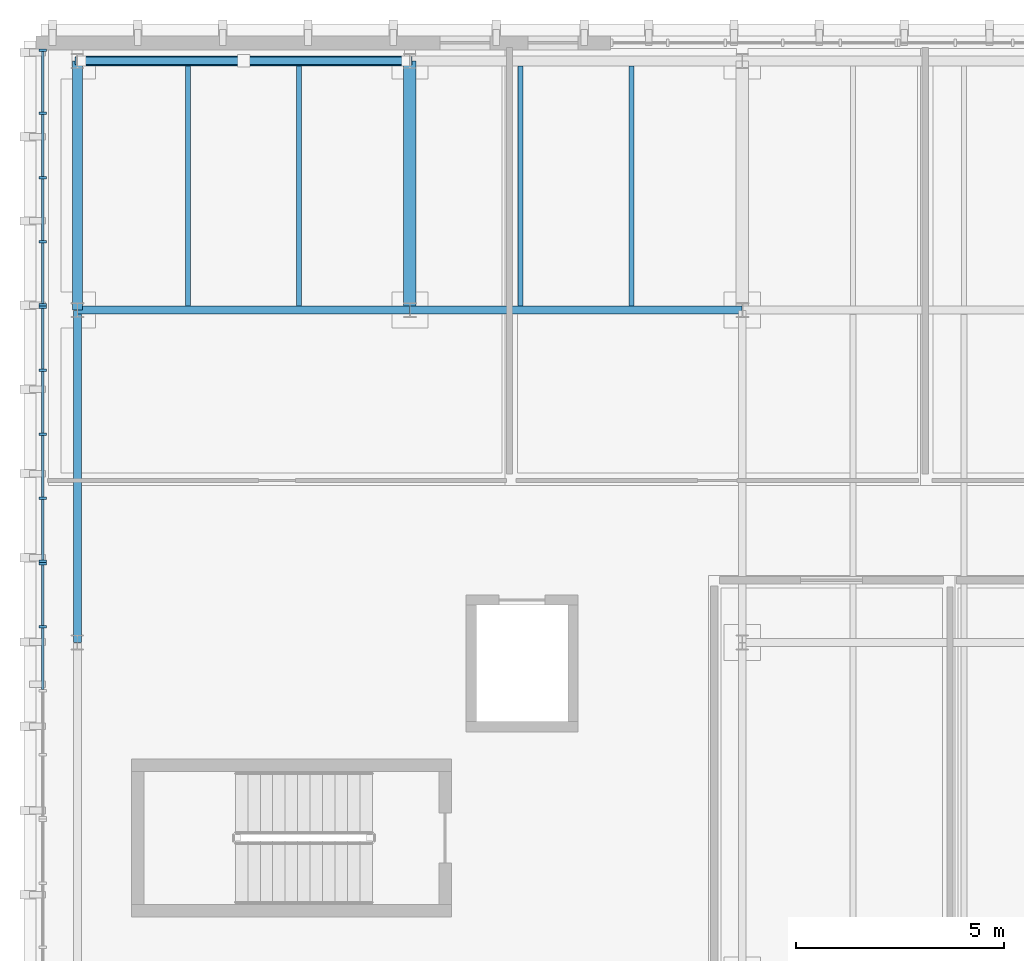
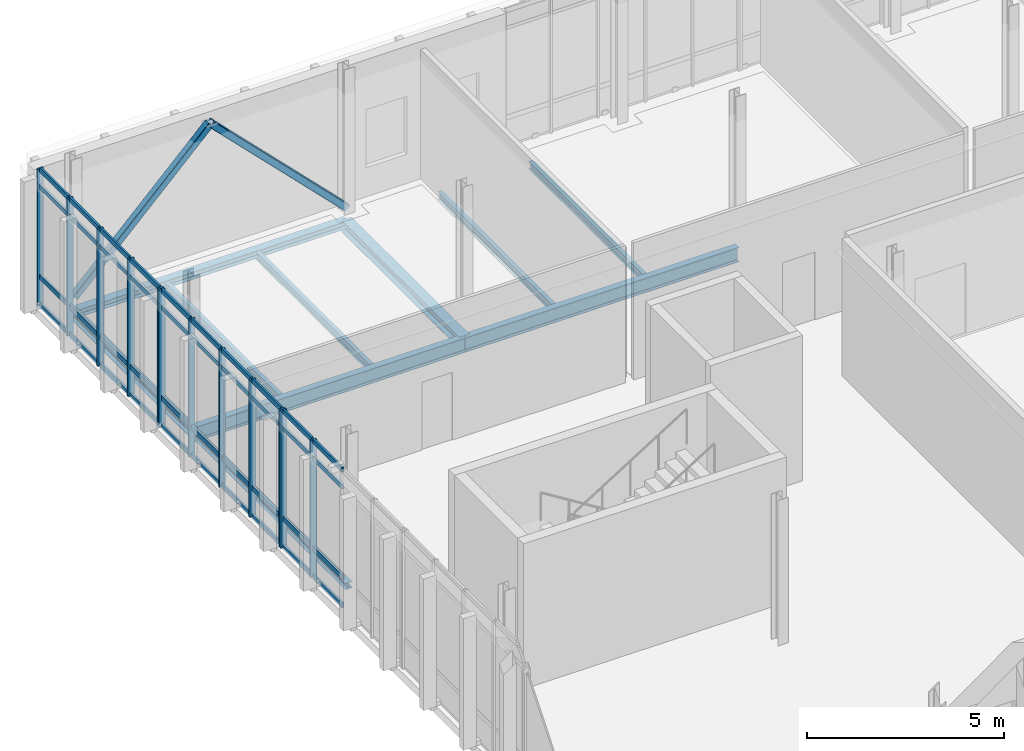
# One storey, part 40 of 100: 54 members, 10 beams, 3 elements without a shape of their own.
"""IFC4 building model written with IfcOpenShell, lengths in metres."""

from ifc_helpers import new_model, si_unit, direction, frame, origin, origin_2d, place, context, subcontext, project, spatial, rectangle, hollow_rectangle, i_section, extrude, material, material_profile, profile_set, type_object, element, aggregate, save


model = new_model("IFC4")

# Units and contexts
model_context = context("Model", 3, precision=1e-05, world=origin(), true_north=direction((0.0, 1.0)))
body_context = subcontext(model_context, "Body", "Model", "MODEL_VIEW")
ifc_project = project(units=[si_unit("LENGTHUNIT", "METRE"), si_unit("AREAUNIT", "SQUARE_METRE"), si_unit("VOLUMEUNIT", "CUBIC_METRE"), si_unit("PLANEANGLEUNIT", "RADIAN"), si_unit("MASSUNIT", "GRAM", prefix="KILO")], contexts=[model_context])

# Site, building, storey
site_placement = place(None, origin())
site = spatial("IfcSite", under=ifc_project, at=site_placement, CompositionType="ELEMENT")
building_placement = place(site_placement, origin())
building = spatial("IfcBuilding", under=site, at=building_placement, Name="Cymarion Research Institute", CompositionType="ELEMENT")
storey_placement = place(building_placement, frame((0.0, 0.0, 9.300048828125)))
storey = spatial("IfcBuildingStorey", under=building, at=storey_placement, Name="L02", CompositionType="ELEMENT", Elevation=9.300048828125)

# Curtain wall, members
ifc_material_1 = material(Name="Anodised aluminium unitised curtain wall with Low-E glazing", Category="aluminium")
curtain_wall_type = type_object("IfcCurtainWallType", Name="UNITISED CURTAIN WALL CW22 6180X4250", PredefinedType="NOTDEFINED", material=ifc_material_1)
curtain_wall_1_placement = place(storey_placement, origin())
curtain_wall_1 = element("IfcCurtainWall", 1, at=curtain_wall_1_placement, inside=storey, type_object=curtain_wall_type, Name="L02 V5 unitised curtain wall CW22 #110", PredefinedType="NOTDEFINED")
ifc_material_2 = material(Name="Anodised aluminium framing", Category="aluminium")
ifc_material_profile_1 = material_profile(ifc_material_2, rectangle(XDim=0.06005859375, YDim=0.179931640625, at=origin_2d()), Name="ALU MULLION 60x180")
ifc_profile_set_1 = profile_set([ifc_material_profile_1], Name="Anodised aluminium framing")
member_type_1 = type_object("IfcMemberType", Name="CURTAIN WALL MULLION ML01 60X180", PredefinedType="MULLION", material=ifc_profile_set_1)
member_1_placement = place(storey_placement, frame((5.77001953125, 115.748046875, 0.0), z_axis=(0.0, 0.0, 1.0), x_axis=(0.0, -1.0, 0.0)))
member_1 = element("IfcMember", 2, at=member_1_placement, type_object=member_type_1, Name="CW22 mullion 1", PredefinedType="MULLION", context=body_context, shape_type="SweptSolid", body=[
    extrude(rectangle(XDim=0.06005859375, YDim=0.179931640625, at=origin_2d()), origin(), (0.0, 0.0, 1.0), 4.25),
])
member_2_placement = place(storey_placement, frame((5.77001953125, 114.234130859375, 0.0), z_axis=(0.0, 0.0, 1.0), x_axis=(0.0, -1.0, 0.0)))
member_2 = element("IfcMember", 3, at=member_2_placement, type_object=member_type_1, Name="CW22 mullion 2", PredefinedType="MULLION", context=body_context, shape_type="SweptSolid", body=[
    extrude(rectangle(XDim=0.06005859375, YDim=0.179931640625, at=origin_2d()), origin(), (0.0, 0.0, 1.0), 4.25),
])
member_3_placement = place(storey_placement, frame((5.77001953125, 112.690185546875, 0.0), z_axis=(0.0, 0.0, 1.0), x_axis=(0.0, -1.0, 0.0)))
member_3 = element("IfcMember", 4, at=member_3_placement, type_object=member_type_1, Name="CW22 mullion 3", PredefinedType="MULLION", context=body_context, shape_type="SweptSolid", body=[
    extrude(rectangle(XDim=0.06005859375, YDim=0.179931640625, at=origin_2d()), origin(), (0.0, 0.0, 1.0), 4.25),
])
member_4_placement = place(storey_placement, frame((5.77001953125, 111.146240234375, 0.0), z_axis=(0.0, 0.0, 1.0), x_axis=(0.0, -1.0, 0.0)))
member_4 = element("IfcMember", 5, at=member_4_placement, type_object=member_type_1, Name="CW22 mullion 4", PredefinedType="MULLION", context=body_context, shape_type="SweptSolid", body=[
    extrude(rectangle(XDim=0.06005859375, YDim=0.179931640625, at=origin_2d()), origin(), (0.0, 0.0, 1.0), 4.25),
])
member_5_placement = place(storey_placement, frame((5.77001953125, 109.63232421875, 0.0), z_axis=(0.0, 0.0, 1.0), x_axis=(0.0, -1.0, 0.0)))
member_5 = element("IfcMember", 6, at=member_5_placement, type_object=member_type_1, Name="CW22 mullion 5", PredefinedType="MULLION", context=body_context, shape_type="SweptSolid", body=[
    extrude(rectangle(XDim=0.06005859375, YDim=0.179931640625, at=origin_2d()), origin(), (0.0, 0.0, 1.0), 4.25),
])

curtain_wall_2_placement = place(storey_placement, origin())
curtain_wall_2 = element("IfcCurtainWall", 7, at=curtain_wall_2_placement, inside=storey, type_object=curtain_wall_type, Name="L02 V5 unitised curtain wall CW22 #111", PredefinedType="NOTDEFINED")
member_6_placement = place(storey_placement, frame((5.77001953125, 109.572509765625, 0.0), z_axis=(0.0, 0.0, 1.0), x_axis=(0.0, -1.0, 0.0)))
member_6 = element("IfcMember", 8, at=member_6_placement, type_object=member_type_1, Name="CW22 mullion 1", PredefinedType="MULLION", context=body_context, shape_type="SweptSolid", body=[
    extrude(rectangle(XDim=0.06005859375, YDim=0.179931640625, at=origin_2d()), origin(), (0.0, 0.0, 1.0), 4.25),
])
member_7_placement = place(storey_placement, frame((5.77001953125, 108.05859375, 0.0), z_axis=(0.0, 0.0, 1.0), x_axis=(0.0, -1.0, 0.0)))
member_7 = element("IfcMember", 9, at=member_7_placement, type_object=member_type_1, Name="CW22 mullion 2", PredefinedType="MULLION", context=body_context, shape_type="SweptSolid", body=[
    extrude(rectangle(XDim=0.06005859375, YDim=0.179931640625, at=origin_2d()), origin(), (0.0, 0.0, 1.0), 4.25),
])
member_8_placement = place(storey_placement, frame((5.77001953125, 106.5146484375, 0.0), z_axis=(0.0, 0.0, 1.0), x_axis=(0.0, -1.0, 0.0)))
member_8 = element("IfcMember", 10, at=member_8_placement, type_object=member_type_1, Name="CW22 mullion 3", PredefinedType="MULLION", context=body_context, shape_type="SweptSolid", body=[
    extrude(rectangle(XDim=0.06005859375, YDim=0.179931640625, at=origin_2d()), origin(), (0.0, 0.0, 1.0), 4.25),
])
member_9_placement = place(storey_placement, frame((5.77001953125, 104.970703125, 0.0), z_axis=(0.0, 0.0, 1.0), x_axis=(0.0, -1.0, 0.0)))
member_9 = element("IfcMember", 11, at=member_9_placement, type_object=member_type_1, Name="CW22 mullion 4", PredefinedType="MULLION", context=body_context, shape_type="SweptSolid", body=[
    extrude(rectangle(XDim=0.06005859375, YDim=0.179931640625, at=origin_2d()), origin(), (0.0, 0.0, 1.0), 4.25),
])
member_10_placement = place(storey_placement, frame((5.77001953125, 103.456787109375, 0.0), z_axis=(0.0, 0.0, 1.0), x_axis=(0.0, -1.0, 0.0)))
member_10 = element("IfcMember", 12, at=member_10_placement, type_object=member_type_1, Name="CW22 mullion 5", PredefinedType="MULLION", context=body_context, shape_type="SweptSolid", body=[
    extrude(rectangle(XDim=0.06005859375, YDim=0.179931640625, at=origin_2d()), origin(), (0.0, 0.0, 1.0), 4.25),
])

curtain_wall_3_placement = place(storey_placement, origin())
curtain_wall_3 = element("IfcCurtainWall", 13, at=curtain_wall_3_placement, inside=storey, type_object=curtain_wall_type, Name="L02 V5 unitised curtain wall CW22 #112", PredefinedType="NOTDEFINED")
member_11_placement = place(storey_placement, frame((5.77001953125, 103.396728515625, 0.0), z_axis=(0.0, 0.0, 1.0), x_axis=(0.0, -1.0, 0.0)))
member_11 = element("IfcMember", 14, at=member_11_placement, type_object=member_type_1, Name="CW22 mullion 1", PredefinedType="MULLION", context=body_context, shape_type="SweptSolid", body=[
    extrude(rectangle(XDim=0.06005859375, YDim=0.179931640625, at=origin_2d()), origin(), (0.0, 0.0, 1.0), 4.25),
])
member_12_placement = place(storey_placement, frame((5.77001953125, 101.8828125, 0.0), z_axis=(0.0, 0.0, 1.0), x_axis=(0.0, -1.0, 0.0)))
member_12 = element("IfcMember", 15, at=member_12_placement, type_object=member_type_1, Name="CW22 mullion 2", PredefinedType="MULLION", context=body_context, shape_type="SweptSolid", body=[
    extrude(rectangle(XDim=0.06005859375, YDim=0.179931640625, at=origin_2d()), origin(), (0.0, 0.0, 1.0), 4.25),
])

# Member
ifc_material_profile_2 = material_profile(ifc_material_2, rectangle(XDim=0.06005859375, YDim=0.14990234375, at=origin_2d()), Name="ALU TRANSOM 60x150")
ifc_profile_set_2 = profile_set([ifc_material_profile_2], Name="Anodised aluminium framing")
member_type_2 = type_object("IfcMemberType", Name="CURTAIN WALL TRANSOM TR01 60X150", PredefinedType="USERDEFINED", material=ifc_profile_set_2)
member_13_placement = place(storey_placement, frame((5.77001953125, 115.718017578125, 0.030029296875), z_axis=(0.0, -1.0, 0.0), x_axis=(1.0, 0.0, 0.0)))
member_13 = element("IfcMember", 16, at=member_13_placement, type_object=member_type_2, Name="CW22 transom 1.1", ObjectType="TRANSOM", PredefinedType="USERDEFINED", context=body_context, shape_type="SweptSolid", body=[
    extrude(rectangle(XDim=0.06005859375, YDim=0.14990234375, at=origin_2d()), origin(), (0.0, 0.0, 1.0), 1.453857421875),
])

member_14_placement = place(storey_placement, frame((5.77001953125, 115.718017578125, 0.89990234375), z_axis=(0.0, -1.0, 0.0), x_axis=(1.0, 0.0, 0.0)))
member_14 = element("IfcMember", 17, at=member_14_placement, type_object=member_type_2, Name="CW22 transom 1.2", ObjectType="TRANSOM", PredefinedType="USERDEFINED", context=body_context, shape_type="SweptSolid", body=[
    extrude(rectangle(XDim=0.06005859375, YDim=0.14990234375, at=origin_2d()), origin(), (0.0, 0.0, 1.0), 1.453857421875),
])

member_15_placement = place(storey_placement, frame((5.77001953125, 115.718017578125, 3.699951171875), z_axis=(0.0, -1.0, 0.0), x_axis=(1.0, 0.0, 0.0)))
member_15 = element("IfcMember", 18, at=member_15_placement, type_object=member_type_2, Name="CW22 transom 1.3", ObjectType="TRANSOM", PredefinedType="USERDEFINED", context=body_context, shape_type="SweptSolid", body=[
    extrude(rectangle(XDim=0.06005859375, YDim=0.14990234375, at=origin_2d()), origin(), (0.0, 0.0, 1.0), 1.453857421875),
])

member_16_placement = place(storey_placement, frame((5.77001953125, 115.718017578125, 4.219970703125), z_axis=(0.0, -1.0, 0.0), x_axis=(1.0, 0.0, 0.0)))
member_16 = element("IfcMember", 19, at=member_16_placement, type_object=member_type_2, Name="CW22 transom 1.4", ObjectType="TRANSOM", PredefinedType="USERDEFINED", context=body_context, shape_type="SweptSolid", body=[
    extrude(rectangle(XDim=0.06005859375, YDim=0.14990234375, at=origin_2d()), origin(), (0.0, 0.0, 1.0), 1.453857421875),
])

member_17_placement = place(storey_placement, frame((5.77001953125, 114.2041015625, 0.030029296875), z_axis=(0.0, -1.0, 0.0), x_axis=(1.0, 0.0, 0.0)))
member_17 = element("IfcMember", 20, at=member_17_placement, type_object=member_type_2, Name="CW22 transom 2.1", ObjectType="TRANSOM", PredefinedType="USERDEFINED", context=body_context, shape_type="SweptSolid", body=[
    extrude(rectangle(XDim=0.06005859375, YDim=0.14990234375, at=origin_2d()), origin(), (0.0, 0.0, 1.0), 1.48388671875),
])

member_18_placement = place(storey_placement, frame((5.77001953125, 114.2041015625, 0.89990234375), z_axis=(0.0, -1.0, 0.0), x_axis=(1.0, 0.0, 0.0)))
member_18 = element("IfcMember", 21, at=member_18_placement, type_object=member_type_2, Name="CW22 transom 2.2", ObjectType="TRANSOM", PredefinedType="USERDEFINED", context=body_context, shape_type="SweptSolid", body=[
    extrude(rectangle(XDim=0.06005859375, YDim=0.14990234375, at=origin_2d()), origin(), (0.0, 0.0, 1.0), 1.48388671875),
])

member_19_placement = place(storey_placement, frame((5.77001953125, 114.2041015625, 3.699951171875), z_axis=(0.0, -1.0, 0.0), x_axis=(1.0, 0.0, 0.0)))
member_19 = element("IfcMember", 22, at=member_19_placement, type_object=member_type_2, Name="CW22 transom 2.3", ObjectType="TRANSOM", PredefinedType="USERDEFINED", context=body_context, shape_type="SweptSolid", body=[
    extrude(rectangle(XDim=0.06005859375, YDim=0.14990234375, at=origin_2d()), origin(), (0.0, 0.0, 1.0), 1.48388671875),
])

member_20_placement = place(storey_placement, frame((5.77001953125, 114.2041015625, 4.219970703125), z_axis=(0.0, -1.0, 0.0), x_axis=(1.0, 0.0, 0.0)))
member_20 = element("IfcMember", 23, at=member_20_placement, type_object=member_type_2, Name="CW22 transom 2.4", ObjectType="TRANSOM", PredefinedType="USERDEFINED", context=body_context, shape_type="SweptSolid", body=[
    extrude(rectangle(XDim=0.06005859375, YDim=0.14990234375, at=origin_2d()), origin(), (0.0, 0.0, 1.0), 1.48388671875),
])

member_21_placement = place(storey_placement, frame((5.77001953125, 112.66015625, 0.030029296875), z_axis=(0.0, -1.0, 0.0), x_axis=(1.0, 0.0, 0.0)))
member_21 = element("IfcMember", 24, at=member_21_placement, type_object=member_type_2, Name="CW22 transom 3.1", ObjectType="TRANSOM", PredefinedType="USERDEFINED", context=body_context, shape_type="SweptSolid", body=[
    extrude(rectangle(XDim=0.06005859375, YDim=0.14990234375, at=origin_2d()), origin(), (0.0, 0.0, 1.0), 1.48388671875),
])

member_22_placement = place(storey_placement, frame((5.77001953125, 112.66015625, 0.89990234375), z_axis=(0.0, -1.0, 0.0), x_axis=(1.0, 0.0, 0.0)))
member_22 = element("IfcMember", 25, at=member_22_placement, type_object=member_type_2, Name="CW22 transom 3.2", ObjectType="TRANSOM", PredefinedType="USERDEFINED", context=body_context, shape_type="SweptSolid", body=[
    extrude(rectangle(XDim=0.06005859375, YDim=0.14990234375, at=origin_2d()), origin(), (0.0, 0.0, 1.0), 1.48388671875),
])

member_23_placement = place(storey_placement, frame((5.77001953125, 112.66015625, 3.699951171875), z_axis=(0.0, -1.0, 0.0), x_axis=(1.0, 0.0, 0.0)))
member_23 = element("IfcMember", 26, at=member_23_placement, type_object=member_type_2, Name="CW22 transom 3.3", ObjectType="TRANSOM", PredefinedType="USERDEFINED", context=body_context, shape_type="SweptSolid", body=[
    extrude(rectangle(XDim=0.06005859375, YDim=0.14990234375, at=origin_2d()), origin(), (0.0, 0.0, 1.0), 1.48388671875),
])

member_24_placement = place(storey_placement, frame((5.77001953125, 112.66015625, 4.219970703125), z_axis=(0.0, -1.0, 0.0), x_axis=(1.0, 0.0, 0.0)))
member_24 = element("IfcMember", 27, at=member_24_placement, type_object=member_type_2, Name="CW22 transom 3.4", ObjectType="TRANSOM", PredefinedType="USERDEFINED", context=body_context, shape_type="SweptSolid", body=[
    extrude(rectangle(XDim=0.06005859375, YDim=0.14990234375, at=origin_2d()), origin(), (0.0, 0.0, 1.0), 1.48388671875),
])

member_25_placement = place(storey_placement, frame((5.77001953125, 111.1162109375, 0.030029296875), z_axis=(0.0, -1.0, 0.0), x_axis=(1.0, 0.0, 0.0)))
member_25 = element("IfcMember", 28, at=member_25_placement, type_object=member_type_2, Name="CW22 transom 4.1", ObjectType="TRANSOM", PredefinedType="USERDEFINED", context=body_context, shape_type="SweptSolid", body=[
    extrude(rectangle(XDim=0.06005859375, YDim=0.14990234375, at=origin_2d()), origin(), (0.0, 0.0, 1.0), 1.453857421875),
])

member_26_placement = place(storey_placement, frame((5.77001953125, 111.1162109375, 0.89990234375), z_axis=(0.0, -1.0, 0.0), x_axis=(1.0, 0.0, 0.0)))
member_26 = element("IfcMember", 29, at=member_26_placement, type_object=member_type_2, Name="CW22 transom 4.2", ObjectType="TRANSOM", PredefinedType="USERDEFINED", context=body_context, shape_type="SweptSolid", body=[
    extrude(rectangle(XDim=0.06005859375, YDim=0.14990234375, at=origin_2d()), origin(), (0.0, 0.0, 1.0), 1.453857421875),
])

member_27_placement = place(storey_placement, frame((5.77001953125, 111.1162109375, 3.699951171875), z_axis=(0.0, -1.0, 0.0), x_axis=(1.0, 0.0, 0.0)))
member_27 = element("IfcMember", 30, at=member_27_placement, type_object=member_type_2, Name="CW22 transom 4.3", ObjectType="TRANSOM", PredefinedType="USERDEFINED", context=body_context, shape_type="SweptSolid", body=[
    extrude(rectangle(XDim=0.06005859375, YDim=0.14990234375, at=origin_2d()), origin(), (0.0, 0.0, 1.0), 1.453857421875),
])

member_28_placement = place(storey_placement, frame((5.77001953125, 111.1162109375, 4.219970703125), z_axis=(0.0, -1.0, 0.0), x_axis=(1.0, 0.0, 0.0)))
member_28 = element("IfcMember", 31, at=member_28_placement, type_object=member_type_2, Name="CW22 transom 4.4", ObjectType="TRANSOM", PredefinedType="USERDEFINED", context=body_context, shape_type="SweptSolid", body=[
    extrude(rectangle(XDim=0.06005859375, YDim=0.14990234375, at=origin_2d()), origin(), (0.0, 0.0, 1.0), 1.453857421875),
])

aggregate(curtain_wall_1, [member_1, member_2, member_3, member_4, member_5, member_13, member_14, member_15, member_16, member_17, member_18, member_19, member_20, member_21, member_22, member_23, member_24, member_25, member_26, member_27, member_28])

member_29_placement = place(storey_placement, frame((5.77001953125, 109.54248046875, 0.030029296875), z_axis=(0.0, -1.0, 0.0), x_axis=(1.0, 0.0, 0.0)))
member_29 = element("IfcMember", 32, at=member_29_placement, type_object=member_type_2, Name="CW22 transom 1.1", ObjectType="TRANSOM", PredefinedType="USERDEFINED", context=body_context, shape_type="SweptSolid", body=[
    extrude(rectangle(XDim=0.06005859375, YDim=0.14990234375, at=origin_2d()), origin(), (0.0, 0.0, 1.0), 1.4541015625),
])

member_30_placement = place(storey_placement, frame((5.77001953125, 109.54248046875, 0.89990234375), z_axis=(0.0, -1.0, 0.0), x_axis=(1.0, 0.0, 0.0)))
member_30 = element("IfcMember", 33, at=member_30_placement, type_object=member_type_2, Name="CW22 transom 1.2", ObjectType="TRANSOM", PredefinedType="USERDEFINED", context=body_context, shape_type="SweptSolid", body=[
    extrude(rectangle(XDim=0.06005859375, YDim=0.14990234375, at=origin_2d()), origin(), (0.0, 0.0, 1.0), 1.4541015625),
])

member_31_placement = place(storey_placement, frame((5.77001953125, 109.54248046875, 3.699951171875), z_axis=(0.0, -1.0, 0.0), x_axis=(1.0, 0.0, 0.0)))
member_31 = element("IfcMember", 34, at=member_31_placement, type_object=member_type_2, Name="CW22 transom 1.3", ObjectType="TRANSOM", PredefinedType="USERDEFINED", context=body_context, shape_type="SweptSolid", body=[
    extrude(rectangle(XDim=0.06005859375, YDim=0.14990234375, at=origin_2d()), origin(), (0.0, 0.0, 1.0), 1.4541015625),
])

member_32_placement = place(storey_placement, frame((5.77001953125, 109.54248046875, 4.219970703125), z_axis=(0.0, -1.0, 0.0), x_axis=(1.0, 0.0, 0.0)))
member_32 = element("IfcMember", 35, at=member_32_placement, type_object=member_type_2, Name="CW22 transom 1.4", ObjectType="TRANSOM", PredefinedType="USERDEFINED", context=body_context, shape_type="SweptSolid", body=[
    extrude(rectangle(XDim=0.06005859375, YDim=0.14990234375, at=origin_2d()), origin(), (0.0, 0.0, 1.0), 1.4541015625),
])

member_33_placement = place(storey_placement, frame((5.77001953125, 108.028564453125, 0.030029296875), z_axis=(0.0, -1.0, 0.0), x_axis=(1.0, 0.0, 0.0)))
member_33 = element("IfcMember", 36, at=member_33_placement, type_object=member_type_2, Name="CW22 transom 2.1", ObjectType="TRANSOM", PredefinedType="USERDEFINED", context=body_context, shape_type="SweptSolid", body=[
    extrude(rectangle(XDim=0.06005859375, YDim=0.14990234375, at=origin_2d()), origin(), (0.0, 0.0, 1.0), 1.48388671875),
])

member_34_placement = place(storey_placement, frame((5.77001953125, 108.028564453125, 0.89990234375), z_axis=(0.0, -1.0, 0.0), x_axis=(1.0, 0.0, 0.0)))
member_34 = element("IfcMember", 37, at=member_34_placement, type_object=member_type_2, Name="CW22 transom 2.2", ObjectType="TRANSOM", PredefinedType="USERDEFINED", context=body_context, shape_type="SweptSolid", body=[
    extrude(rectangle(XDim=0.06005859375, YDim=0.14990234375, at=origin_2d()), origin(), (0.0, 0.0, 1.0), 1.48388671875),
])

member_35_placement = place(storey_placement, frame((5.77001953125, 108.028564453125, 3.699951171875), z_axis=(0.0, -1.0, 0.0), x_axis=(1.0, 0.0, 0.0)))
member_35 = element("IfcMember", 38, at=member_35_placement, type_object=member_type_2, Name="CW22 transom 2.3", ObjectType="TRANSOM", PredefinedType="USERDEFINED", context=body_context, shape_type="SweptSolid", body=[
    extrude(rectangle(XDim=0.06005859375, YDim=0.14990234375, at=origin_2d()), origin(), (0.0, 0.0, 1.0), 1.48388671875),
])

member_36_placement = place(storey_placement, frame((5.77001953125, 108.028564453125, 4.219970703125), z_axis=(0.0, -1.0, 0.0), x_axis=(1.0, 0.0, 0.0)))
member_36 = element("IfcMember", 39, at=member_36_placement, type_object=member_type_2, Name="CW22 transom 2.4", ObjectType="TRANSOM", PredefinedType="USERDEFINED", context=body_context, shape_type="SweptSolid", body=[
    extrude(rectangle(XDim=0.06005859375, YDim=0.14990234375, at=origin_2d()), origin(), (0.0, 0.0, 1.0), 1.48388671875),
])

member_37_placement = place(storey_placement, frame((5.77001953125, 106.484619140625, 0.030029296875), z_axis=(0.0, -1.0, 0.0), x_axis=(1.0, 0.0, 0.0)))
member_37 = element("IfcMember", 40, at=member_37_placement, type_object=member_type_2, Name="CW22 transom 3.1", ObjectType="TRANSOM", PredefinedType="USERDEFINED", context=body_context, shape_type="SweptSolid", body=[
    extrude(rectangle(XDim=0.06005859375, YDim=0.14990234375, at=origin_2d()), origin(), (0.0, 0.0, 1.0), 1.48388671875),
])

member_38_placement = place(storey_placement, frame((5.77001953125, 106.484619140625, 0.89990234375), z_axis=(0.0, -1.0, 0.0), x_axis=(1.0, 0.0, 0.0)))
member_38 = element("IfcMember", 41, at=member_38_placement, type_object=member_type_2, Name="CW22 transom 3.2", ObjectType="TRANSOM", PredefinedType="USERDEFINED", context=body_context, shape_type="SweptSolid", body=[
    extrude(rectangle(XDim=0.06005859375, YDim=0.14990234375, at=origin_2d()), origin(), (0.0, 0.0, 1.0), 1.48388671875),
])

member_39_placement = place(storey_placement, frame((5.77001953125, 106.484619140625, 3.699951171875), z_axis=(0.0, -1.0, 0.0), x_axis=(1.0, 0.0, 0.0)))
member_39 = element("IfcMember", 42, at=member_39_placement, type_object=member_type_2, Name="CW22 transom 3.3", ObjectType="TRANSOM", PredefinedType="USERDEFINED", context=body_context, shape_type="SweptSolid", body=[
    extrude(rectangle(XDim=0.06005859375, YDim=0.14990234375, at=origin_2d()), origin(), (0.0, 0.0, 1.0), 1.48388671875),
])

member_40_placement = place(storey_placement, frame((5.77001953125, 106.484619140625, 4.219970703125), z_axis=(0.0, -1.0, 0.0), x_axis=(1.0, 0.0, 0.0)))
member_40 = element("IfcMember", 43, at=member_40_placement, type_object=member_type_2, Name="CW22 transom 3.4", ObjectType="TRANSOM", PredefinedType="USERDEFINED", context=body_context, shape_type="SweptSolid", body=[
    extrude(rectangle(XDim=0.06005859375, YDim=0.14990234375, at=origin_2d()), origin(), (0.0, 0.0, 1.0), 1.48388671875),
])

member_41_placement = place(storey_placement, frame((5.77001953125, 104.940673828125, 0.030029296875), z_axis=(0.0, -1.0, 0.0), x_axis=(1.0, 0.0, 0.0)))
member_41 = element("IfcMember", 44, at=member_41_placement, type_object=member_type_2, Name="CW22 transom 4.1", ObjectType="TRANSOM", PredefinedType="USERDEFINED", context=body_context, shape_type="SweptSolid", body=[
    extrude(rectangle(XDim=0.06005859375, YDim=0.14990234375, at=origin_2d()), origin(), (0.0, 0.0, 1.0), 1.453857421875),
])

member_42_placement = place(storey_placement, frame((5.77001953125, 104.940673828125, 0.89990234375), z_axis=(0.0, -1.0, 0.0), x_axis=(1.0, 0.0, 0.0)))
member_42 = element("IfcMember", 45, at=member_42_placement, type_object=member_type_2, Name="CW22 transom 4.2", ObjectType="TRANSOM", PredefinedType="USERDEFINED", context=body_context, shape_type="SweptSolid", body=[
    extrude(rectangle(XDim=0.06005859375, YDim=0.14990234375, at=origin_2d()), origin(), (0.0, 0.0, 1.0), 1.453857421875),
])

member_43_placement = place(storey_placement, frame((5.77001953125, 104.940673828125, 3.699951171875), z_axis=(0.0, -1.0, 0.0), x_axis=(1.0, 0.0, 0.0)))
member_43 = element("IfcMember", 46, at=member_43_placement, type_object=member_type_2, Name="CW22 transom 4.3", ObjectType="TRANSOM", PredefinedType="USERDEFINED", context=body_context, shape_type="SweptSolid", body=[
    extrude(rectangle(XDim=0.06005859375, YDim=0.14990234375, at=origin_2d()), origin(), (0.0, 0.0, 1.0), 1.453857421875),
])

member_44_placement = place(storey_placement, frame((5.77001953125, 104.940673828125, 4.219970703125), z_axis=(0.0, -1.0, 0.0), x_axis=(1.0, 0.0, 0.0)))
member_44 = element("IfcMember", 47, at=member_44_placement, type_object=member_type_2, Name="CW22 transom 4.4", ObjectType="TRANSOM", PredefinedType="USERDEFINED", context=body_context, shape_type="SweptSolid", body=[
    extrude(rectangle(XDim=0.06005859375, YDim=0.14990234375, at=origin_2d()), origin(), (0.0, 0.0, 1.0), 1.453857421875),
])

aggregate(curtain_wall_2, [member_6, member_7, member_8, member_9, member_10, member_29, member_30, member_31, member_32, member_33, member_34, member_35, member_36, member_37, member_38, member_39, member_40, member_41, member_42, member_43, member_44])

member_45_placement = place(storey_placement, frame((5.77001953125, 103.36669921875, 0.030029296875), z_axis=(0.0, -1.0, 0.0), x_axis=(1.0, 0.0, 0.0)))
member_45 = element("IfcMember", 48, at=member_45_placement, type_object=member_type_2, Name="CW22 transom 1.1", ObjectType="TRANSOM", PredefinedType="USERDEFINED", context=body_context, shape_type="SweptSolid", body=[
    extrude(rectangle(XDim=0.06005859375, YDim=0.14990234375, at=origin_2d()), origin(), (0.0, 0.0, 1.0), 1.453857421875),
])

member_46_placement = place(storey_placement, frame((5.77001953125, 103.36669921875, 0.89990234375), z_axis=(0.0, -1.0, 0.0), x_axis=(1.0, 0.0, 0.0)))
member_46 = element("IfcMember", 49, at=member_46_placement, type_object=member_type_2, Name="CW22 transom 1.2", ObjectType="TRANSOM", PredefinedType="USERDEFINED", context=body_context, shape_type="SweptSolid", body=[
    extrude(rectangle(XDim=0.06005859375, YDim=0.14990234375, at=origin_2d()), origin(), (0.0, 0.0, 1.0), 1.453857421875),
])

member_47_placement = place(storey_placement, frame((5.77001953125, 103.36669921875, 3.699951171875), z_axis=(0.0, -1.0, 0.0), x_axis=(1.0, 0.0, 0.0)))
member_47 = element("IfcMember", 50, at=member_47_placement, type_object=member_type_2, Name="CW22 transom 1.3", ObjectType="TRANSOM", PredefinedType="USERDEFINED", context=body_context, shape_type="SweptSolid", body=[
    extrude(rectangle(XDim=0.06005859375, YDim=0.14990234375, at=origin_2d()), origin(), (0.0, 0.0, 1.0), 1.453857421875),
])

member_48_placement = place(storey_placement, frame((5.77001953125, 103.36669921875, 4.219970703125), z_axis=(0.0, -1.0, 0.0), x_axis=(1.0, 0.0, 0.0)))
member_48 = element("IfcMember", 51, at=member_48_placement, type_object=member_type_2, Name="CW22 transom 1.4", ObjectType="TRANSOM", PredefinedType="USERDEFINED", context=body_context, shape_type="SweptSolid", body=[
    extrude(rectangle(XDim=0.06005859375, YDim=0.14990234375, at=origin_2d()), origin(), (0.0, 0.0, 1.0), 1.453857421875),
])

member_49_placement = place(storey_placement, frame((5.77001953125, 101.852783203125, 0.030029296875), z_axis=(0.0, -1.0, 0.0), x_axis=(1.0, 0.0, 0.0)))
member_49 = element("IfcMember", 52, at=member_49_placement, type_object=member_type_2, Name="CW22 transom 2.1", ObjectType="TRANSOM", PredefinedType="USERDEFINED", context=body_context, shape_type="SweptSolid", body=[
    extrude(rectangle(XDim=0.06005859375, YDim=0.14990234375, at=origin_2d()), origin(), (0.0, 0.0, 1.0), 1.48388671875),
])

member_50_placement = place(storey_placement, frame((5.77001953125, 101.852783203125, 0.89990234375), z_axis=(0.0, -1.0, 0.0), x_axis=(1.0, 0.0, 0.0)))
member_50 = element("IfcMember", 53, at=member_50_placement, type_object=member_type_2, Name="CW22 transom 2.2", ObjectType="TRANSOM", PredefinedType="USERDEFINED", context=body_context, shape_type="SweptSolid", body=[
    extrude(rectangle(XDim=0.06005859375, YDim=0.14990234375, at=origin_2d()), origin(), (0.0, 0.0, 1.0), 1.48388671875),
])

member_51_placement = place(storey_placement, frame((5.77001953125, 101.852783203125, 3.699951171875), z_axis=(0.0, -1.0, 0.0), x_axis=(1.0, 0.0, 0.0)))
member_51 = element("IfcMember", 54, at=member_51_placement, type_object=member_type_2, Name="CW22 transom 2.3", ObjectType="TRANSOM", PredefinedType="USERDEFINED", context=body_context, shape_type="SweptSolid", body=[
    extrude(rectangle(XDim=0.06005859375, YDim=0.14990234375, at=origin_2d()), origin(), (0.0, 0.0, 1.0), 1.48388671875),
])

member_52_placement = place(storey_placement, frame((5.77001953125, 101.852783203125, 4.219970703125), z_axis=(0.0, -1.0, 0.0), x_axis=(1.0, 0.0, 0.0)))
member_52 = element("IfcMember", 55, at=member_52_placement, type_object=member_type_2, Name="CW22 transom 2.4", ObjectType="TRANSOM", PredefinedType="USERDEFINED", context=body_context, shape_type="SweptSolid", body=[
    extrude(rectangle(XDim=0.06005859375, YDim=0.14990234375, at=origin_2d()), origin(), (0.0, 0.0, 1.0), 1.48388671875),
])

aggregate(curtain_wall_3, [member_11, member_12, member_45, member_46, member_47, member_48, member_49, member_50, member_51, member_52])

# Beams
ifc_material_3 = material(Name="Steel S355", Category="steel")
ifc_material_profile_3 = material_profile(ifc_material_3, i_section(OverallWidth=0.18994140625, OverallDepth=0.449951171875, WebThickness=0.009521484375, FlangeThickness=0.0146484375, FilletRadius=0.02099609375, at=origin_2d()), Name="IPE 450")
ifc_profile_set_3 = profile_set([ifc_material_profile_3], Name="Steel S355")
beam_type_1 = type_object("IfcBeamType", Name="PRIMARY GIRDER BM04 IPE 450", PredefinedType="BEAM", material=ifc_profile_set_3)
for number, where, z_axis, x_axis, name in (
    (56, (6.60595703125, 109.5, -0.47509765625), (1.0, 0.0, 0.0), (0.0, 1.0, 0.0), "L02 V5 girder BM04 #1112"),
    (57, (14.60595703125, 109.5, -0.47509765625), (1.0, 0.0, 0.0), (0.0, 1.0, 0.0), "L02 V5 girder BM04 #1113"),
):
    element("IfcBeam", number, at=place(storey_placement, frame(where, z_axis=z_axis, x_axis=x_axis)), inside=storey, type_object=beam_type_1, Name=name, PredefinedType="BEAM", context=body_context, shape_type="SweptSolid", body=[
        extrude(i_section(OverallWidth=0.18994140625, OverallDepth=0.449951171875, WebThickness=0.009521484375, FlangeThickness=0.0146484375, FilletRadius=0.02099609375, at=origin_2d()), origin(), (0.0, 0.0, 1.0), 7.988037109375),
    ])
ifc_material_profile_4 = material_profile(ifc_material_3, i_section(OverallWidth=0.300048828125, OverallDepth=0.35009765625, WebThickness=0.010009765625, FlangeThickness=0.017578125, FilletRadius=0.027099609375, at=origin_2d()), Name="HEA 360")
ifc_profile_set_4 = profile_set([ifc_material_profile_4], Name="Steel S355")
beam_type_2 = type_object("IfcBeamType", Name="PRIMARY GIRDER BM12 HEA 360", PredefinedType="BEAM", material=ifc_profile_set_4)
beam_1_placement = place(storey_placement, frame((14.60009765625, 109.506103515625, -0.425048828125), z_axis=(0.0, 1.0, 0.0), x_axis=(-1.0, 0.0, 0.0)))
element("IfcBeam", 58, at=beam_1_placement, inside=storey, type_object=beam_type_2, Name="L02 V5 girder BM12 #1127", PredefinedType="BEAM", context=body_context, shape_type="SweptSolid", body=[
    extrude(i_section(OverallWidth=0.300048828125, OverallDepth=0.35009765625, WebThickness=0.010009765625, FlangeThickness=0.017578125, FilletRadius=0.027099609375, at=origin_2d()), origin(), (0.0, 0.0, 1.0), 5.98779296875),
])
ifc_material_profile_5 = material_profile(ifc_material_3, i_section(OverallWidth=0.1201171875, OverallDepth=0.239990234375, WebThickness=0.006103515625, FlangeThickness=0.009765625, FilletRadius=0.014892578125, at=origin_2d()), Name="IPE 240")
ifc_profile_set_5 = profile_set([ifc_material_profile_5], Name="Steel S355")
beam_type_3 = type_object("IfcBeamType", Name="SECONDARY JOIST JS04 IPE 240", PredefinedType="JOIST", material=ifc_profile_set_5)
for number, where, z_axis, x_axis, name in (
    (59, (9.2666015625, 109.59912109375, -0.3701171875), (0.0, 1.0, 0.0), (-1.0, 0.0, 0.0), "L02 V5 secondary joist JS04 #1160"),
    (60, (11.933349609375, 109.59912109375, -0.3701171875), (0.0, 1.0, 0.0), (-1.0, 0.0, 0.0), "L02 V5 secondary joist JS04 #1161"),
    (61, (17.2666015625, 109.59912109375, -0.3701171875), (0.0, 1.0, 0.0), (-1.0, 0.0, 0.0), "L02 V5 secondary joist JS04 #1162"),
    (62, (19.933349609375, 109.59912109375, -0.3701171875), (0.0, 1.0, 0.0), (-1.0, 0.0, 0.0), "L02 V5 secondary joist JS04 #1163"),
):
    element("IfcBeam", number, at=place(storey_placement, frame(where, z_axis=z_axis, x_axis=x_axis)), inside=storey, type_object=beam_type_3, Name=name, PredefinedType="JOIST", context=body_context, shape_type="SweptSolid", body=[
        extrude(i_section(OverallWidth=0.1201171875, OverallDepth=0.239990234375, WebThickness=0.006103515625, FlangeThickness=0.009765625, FilletRadius=0.014892578125, at=origin_2d()), origin(), (0.0, 0.0, 1.0), 5.77685546875),
    ])
ifc_material_profile_6 = material_profile(ifc_material_3, i_section(OverallWidth=0.239990234375, OverallDepth=0.22998046875, WebThickness=0.007568359375, FlangeThickness=0.011962890625, FilletRadius=0.02099609375, at=origin_2d()), Name="HEA 240")
ifc_profile_set_6 = profile_set([ifc_material_profile_6], Name="Steel S355")
beam_type_4 = type_object("IfcBeamType", Name="SPANDREL BEAM SPB03 HEA 240", PredefinedType="SPANDREL", material=ifc_profile_set_6)
beam_2_placement = place(storey_placement, frame((6.60595703125, 115.5, -0.364990234375), z_axis=(1.0, 0.0, 0.0), x_axis=(0.0, 1.0, 0.0)))
element("IfcBeam", 63, at=beam_2_placement, inside=storey, type_object=beam_type_4, Name="L02 V5 girder SPB03 #1117", PredefinedType="SPANDREL", context=body_context, shape_type="SweptSolid", body=[
    extrude(i_section(OverallWidth=0.239990234375, OverallDepth=0.22998046875, WebThickness=0.007568359375, FlangeThickness=0.011962890625, FilletRadius=0.02099609375, at=origin_2d()), origin(), (0.0, 0.0, 1.0), 7.988037109375),
])
beam_3_placement = place(storey_placement, frame((6.60009765625, 109.506103515625, -0.364990234375), z_axis=(0.0, 1.0, 0.0), x_axis=(-1.0, 0.0, 0.0)))
element("IfcBeam", 64, at=beam_3_placement, inside=storey, type_object=beam_type_4, Name="L02 V5 girder SPB03 #1125", PredefinedType="SPANDREL", context=body_context, shape_type="SweptSolid", body=[
    extrude(i_section(OverallWidth=0.239990234375, OverallDepth=0.22998046875, WebThickness=0.007568359375, FlangeThickness=0.011962890625, FilletRadius=0.02099609375, at=origin_2d()), origin(), (0.0, 0.0, 1.0), 5.98779296875),
])
ifc_material_profile_7 = material_profile(ifc_material_3, i_section(OverallWidth=0.199951171875, OverallDepth=0.18994140625, WebThickness=0.006591796875, FlangeThickness=0.010009765625, FilletRadius=0.01806640625, at=origin_2d()), Name="HEA 200")
ifc_profile_set_7 = profile_set([ifc_material_profile_7], Name="Steel S355")
beam_type_5 = type_object("IfcBeamType", Name="SPANDREL BEAM SPB04 HEA 200", PredefinedType="SPANDREL", material=ifc_profile_set_7)
beam_4_placement = place(storey_placement, frame((6.60009765625, 101.506103515625, -0.344970703125), z_axis=(0.0, 1.0, 0.0), x_axis=(-1.0, 0.0, 0.0)))
element("IfcBeam", 65, at=beam_4_placement, inside=storey, type_object=beam_type_5, Name="L02 V5 girder SPB04 #1124", PredefinedType="SPANDREL", context=body_context, shape_type="SweptSolid", body=[
    extrude(i_section(OverallWidth=0.199951171875, OverallDepth=0.18994140625, WebThickness=0.006591796875, FlangeThickness=0.010009765625, FilletRadius=0.01806640625, at=origin_2d()), origin(), (0.0, 0.0, 1.0), 7.98779296875),
])

# Members
ifc_material_profile_8 = material_profile(ifc_material_3, hollow_rectangle(XDim=0.199951171875, YDim=0.199951171875, WallThickness=0.010009765625, InnerFilletRadius=0.014892578125, OuterFilletRadius=0.02490234375, at=origin_2d()), Name="SHS 200x200x10")
ifc_profile_set_8 = profile_set([ifc_material_profile_8], Name="Steel S355")
member_type_3 = type_object("IfcMemberType", Name="STRUCTURAL MEMBER BR07 SHS 200x200x10", PredefinedType="BRACE", material=ifc_profile_set_8)
member_53_placement = place(storey_placement, frame((6.6142578125, 115.5, 0.119873046875), z_axis=(0.70610954467, 0.0, 0.708102613275), x_axis=(0.0, 1.0, 0.0)))
element("IfcMember", 66, at=member_53_placement, inside=storey, type_object=member_type_3, Name="L02 V5 seismic chevron brace BR07 #1", PredefinedType="BRACE", context=body_context, shape_type="SweptSolid", body=[
    extrude(hollow_rectangle(XDim=0.199951171875, YDim=0.199951171875, WallThickness=0.010009765625, InnerFilletRadius=0.014892578125, OuterFilletRadius=0.02490234375, at=origin_2d()), origin(), (0.0, 0.0, 1.0), 5.634765625),
])
member_54_placement = place(storey_placement, frame((14.585693359375, 115.5, 0.119873046875), z_axis=(-0.706087818821, 0.0, 0.708124277307), x_axis=(0.0, -1.0, 0.0)))
element("IfcMember", 67, at=member_54_placement, inside=storey, type_object=member_type_3, Name="L02 V5 seismic chevron brace BR07 #2", PredefinedType="BRACE", context=body_context, shape_type="SweptSolid", body=[
    extrude(hollow_rectangle(XDim=0.199951171875, YDim=0.199951171875, WallThickness=0.010009765625, InnerFilletRadius=0.014892578125, OuterFilletRadius=0.02490234375, at=origin_2d()), origin(), (0.0, 0.0, 1.0), 5.634521484375),
])

save(model, "model.ifc")
